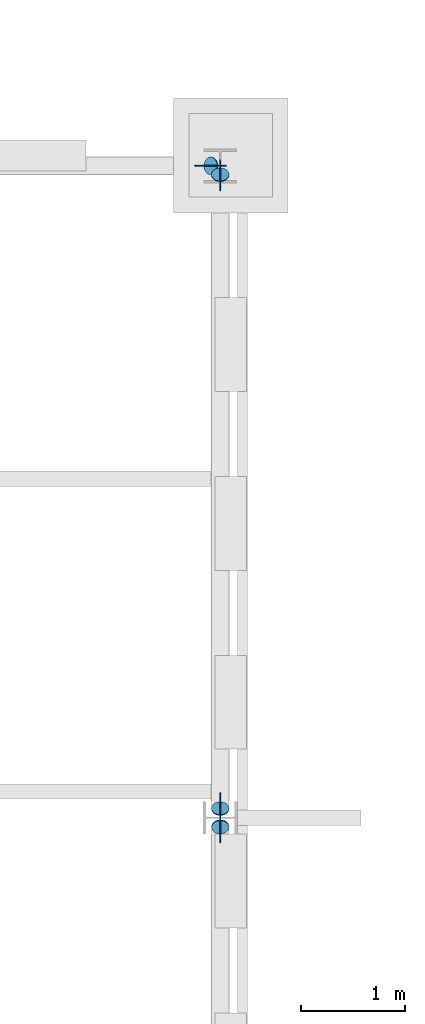
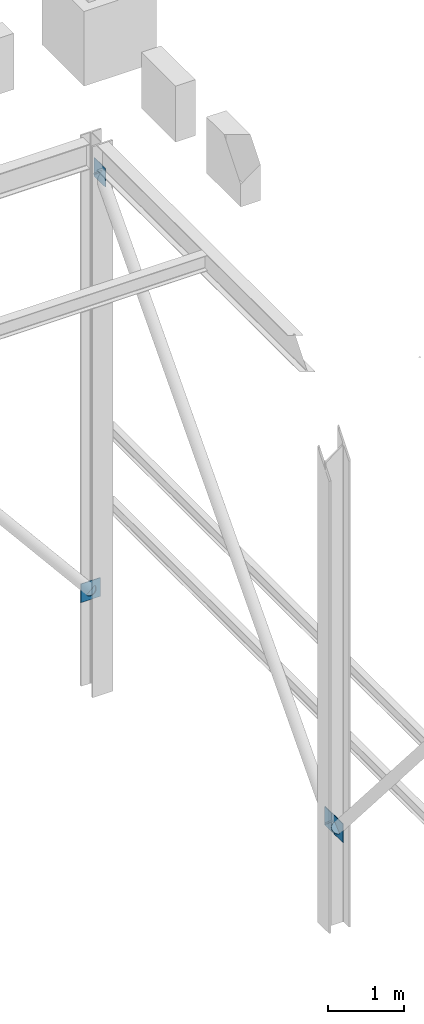
# One storey, part 51 of 57: 8 discrete accessories.
"""IFC4 building model written with IfcOpenShell, lengths in metres."""

from ifc_helpers import new_model, si_unit, direction, frame, origin, origin_2d, place, context, subcontext, project, spatial, rectangle, circle, extrude, material, material_profile, profile_set, type_object, element, save


model = new_model("IFC4")

# Units and contexts
model_context = context("Model", 3, precision=1e-05, world=origin(), true_north=direction((0.0, 1.0)))
body_context = subcontext(model_context, "Body", "Model", "MODEL_VIEW")
ifc_project = project(units=[si_unit("LENGTHUNIT", "METRE"), si_unit("AREAUNIT", "SQUARE_METRE"), si_unit("VOLUMEUNIT", "CUBIC_METRE"), si_unit("PLANEANGLEUNIT", "RADIAN"), si_unit("MASSUNIT", "GRAM", prefix="KILO")], contexts=[model_context])

# Site, building, storey
site_placement = place(None, origin())
site = spatial("IfcSite", under=ifc_project, at=site_placement, CompositionType="ELEMENT")
building_placement = place(site_placement, origin())
building = spatial("IfcBuilding", under=site, at=building_placement, Name="Saffron Lane Theatres", CompositionType="ELEMENT")
storey_placement = place(building_placement, frame((0.0, 0.0, 28.0)))
storey = spatial("IfcBuildingStorey", under=building, at=storey_placement, Name="Upper Roof", CompositionType="ELEMENT", Elevation=28.0)

# Discrete accessories
ifc_material_1 = material(Name="Steel Grade 350", Category="steel")
ifc_material_profile_1 = material_profile(ifc_material_1, rectangle(XDim=0.300048828125, YDim=0.300048828125, at=origin_2d()))
ifc_profile_set_1 = profile_set([ifc_material_profile_1], Name="Steel Grade 350")
discrete_accessory_type_1 = type_object("IfcDiscreteAccessoryType", Name="ST-GUSSET CONNECTION PLATE", PredefinedType="BRACKET", material=ifc_profile_set_1)
for number, where, z_axis, x_axis, name in (
    (1, (47.6572265625, 54.2451171875, 1.61181640625), (0.0, 1.0, 0.0), (-1.0, 0.0, 0.0), "GB135"),
    (2, (47.7451171875, 47.908447265625, 1.60595703125), (1.0, 0.0, 0.0), (0.0, 1.0, 0.0), "GB163"),
    (3, (47.7451171875, 48.09033203125, 1.600341796875), (1.0, 0.0, 0.0), (0.0, 1.0, 0.0), "GB167"),
    (4, (47.7451171875, 54.15966796875, 8.343505859375), (1.0, 0.0, 0.0), (0.0, 1.0, 0.0), "GB168"),
):
    element("IfcDiscreteAccessory", number, at=place(storey_placement, frame(where, z_axis=z_axis, x_axis=x_axis)), inside=storey, type_object=discrete_accessory_type_1, Name=name, PredefinedType="BRACKET", context=body_context, shape_type="SweptSolid", body=[
        extrude(rectangle(XDim=0.300048828125, YDim=0.300048828125, at=origin_2d()), origin(), (0.0, 0.0, 1.0), 0.009765625),
    ])
ifc_material_2 = material(Name="Steel Grade 350", Category="steel")
ifc_material_profile_2 = material_profile(ifc_material_2, circle(Radius=0.084228515625, at=origin_2d()))
ifc_profile_set_2 = profile_set([ifc_material_profile_2], Name="Steel Grade 350")
discrete_accessory_type_2 = type_object("IfcDiscreteAccessoryType", Name="ST-STEEL END CAP 168.3x6.4 CHS", PredefinedType="ANCHORPLATE", material=ifc_profile_set_2)
for number, where, z_axis, x_axis, name in (
    (5, (47.6650390625, 54.25, 1.602783203125), (-0.654151932932, 0.0, 0.756363172452), (0.0, -1.0, 0.0), "EC81"),
    (6, (47.75, 47.916259765625, 1.596923828125), (0.0, -0.654151932932, 0.756363172452), (1.0, 0.0, 0.0), "EC109"),
    (7, (47.75, 48.082275390625, 1.591552734375), (0.0, 0.675724628517, 0.737154140201), (-1.0, 0.0, 0.0), "EC113"),
):
    element("IfcDiscreteAccessory", number, at=place(storey_placement, frame(where, z_axis=z_axis, x_axis=x_axis)), inside=storey, type_object=discrete_accessory_type_2, Name=name, PredefinedType="ANCHORPLATE", context=body_context, shape_type="SweptSolid", body=[
        extrude(circle(Radius=0.084228515625, at=origin_2d()), origin(), (0.0, 0.0, 1.0), 0.011962890625),
    ])
discrete_accessory_placement = place(storey_placement, frame((47.75, 54.15966796875, 8.343505859375), z_axis=(0.0, 0.665614846958, 0.746295434469), x_axis=(-1.0, 0.0, 0.0)))
element("IfcDiscreteAccessory", 8, at=discrete_accessory_placement, inside=storey, type_object=discrete_accessory_type_2, Name="EC114", PredefinedType="ANCHORPLATE", context=body_context, shape_type="SweptSolid", body=[
    extrude(circle(Radius=0.084228515625, at=origin_2d()), origin(), (0.0, 0.0, 1.0), 0.01220703125),
])

save(model, "model.ifc")
